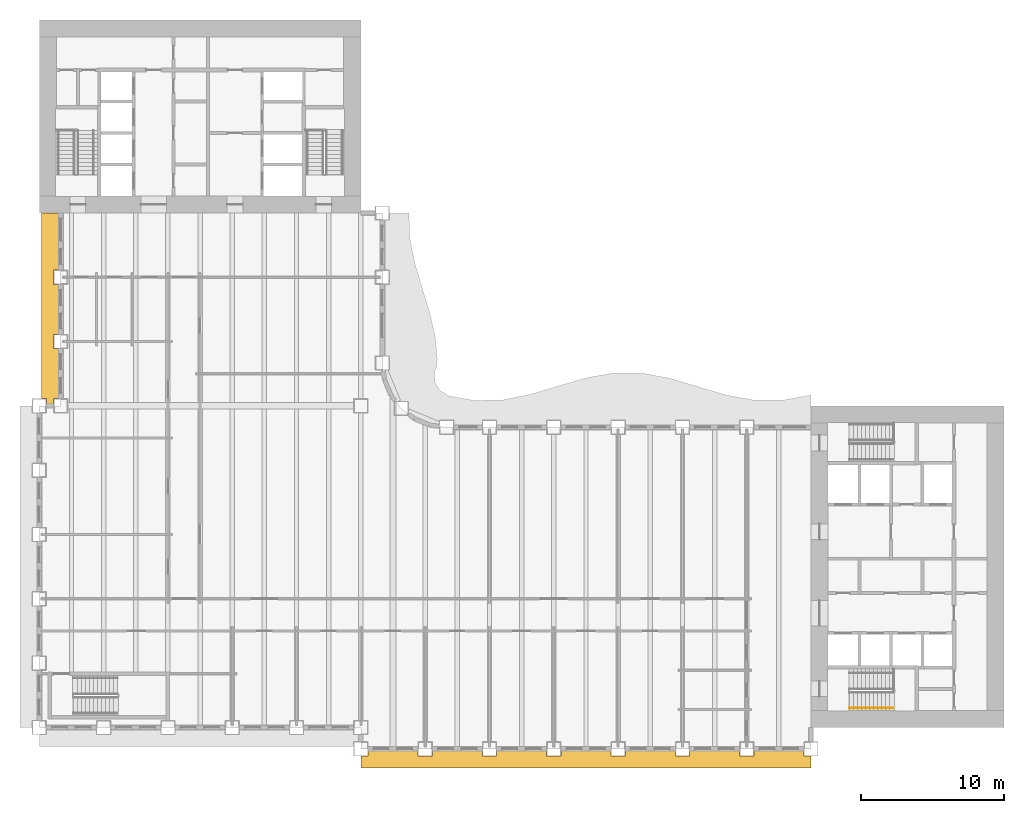
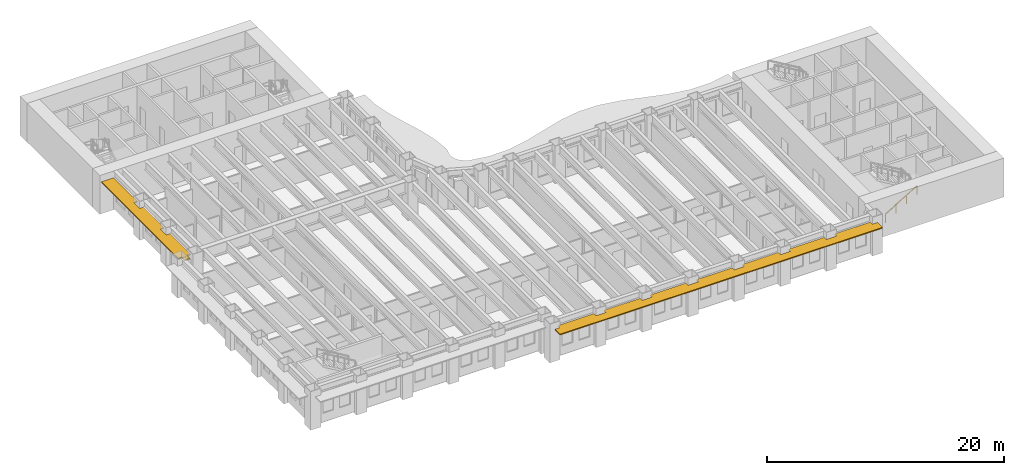
# One storey, part 12 of 16: 2 shading devices, 1 railing.
"""IFC4 building model written with IfcOpenShell, lengths in metres."""

from ifc_helpers import new_model, si_unit, direction, frame, origin, origin_2d, place, context, subcontext, project, spatial, polyline, rectangle, outline, extrude, material, layer, layer_set, type_object, element, save


model = new_model("IFC4")

# Units and contexts
model_context = context("Model", 3, precision=1e-05, world=origin(), true_north=direction((0.0, 1.0)))
body_context = subcontext(model_context, "Body", "Model", "MODEL_VIEW")
ifc_project = project(units=[si_unit("LENGTHUNIT", "METRE"), si_unit("AREAUNIT", "SQUARE_METRE"), si_unit("VOLUMEUNIT", "CUBIC_METRE"), si_unit("PLANEANGLEUNIT", "RADIAN"), si_unit("MASSUNIT", "GRAM", prefix="KILO")], contexts=[model_context])

# Site, building, storey
site_placement = place(None, origin())
site = spatial("IfcSite", under=ifc_project, at=site_placement, CompositionType="ELEMENT")
building_placement = place(site_placement, origin())
building = spatial("IfcBuilding", under=site, at=building_placement, Name="Sennacour Bend Tower", CompositionType="ELEMENT")
storey_placement = place(building_placement, frame((0.0, 0.0, 103.0)))
storey = spatial("IfcBuildingStorey", under=building, at=storey_placement, Name="L23", CompositionType="ELEMENT", Elevation=103.0)

# Railing
ifc_material_1 = material(Name="Stainless steel", Category="steel")
railing_type = type_object("IfcRailingType", Name="RL-HANDRAIL-900", PredefinedType="HANDRAIL", material=ifc_material_1)
railing_placement = place(storey_placement, frame((56.699951171875, 1.35009765625, 0.166748046875)))
element("IfcRailing", 1, at=railing_placement, inside=storey, type_object=railing_type, Name="L23 SA1 stair handrail 1", PredefinedType="HANDRAIL", context=body_context, shape_type="SweptSolid", body=[
    extrude(rectangle(XDim=0.048095703125, YDim=0.048095703125, at=origin_2d()), frame((0.0, 0.0, 0.8759765625), z_axis=(0.859308565015, 0.0, 0.511457515432), x_axis=(0.0, 1.0, 0.0)), (0.0, 0.0, 1.0), 3.58447265625),
    extrude(rectangle(XDim=0.0419921875, YDim=0.0419921875, at=origin_2d()), origin(), (0.0, 0.0, 1.0), 0.851806640625),
    extrude(rectangle(XDim=0.0419921875, YDim=0.0419921875, at=origin_2d()), frame((1.026611328125, 0.0, 0.611083984375)), (0.0, 0.0, 1.0), 0.851806640625),
    extrude(rectangle(XDim=0.0419921875, YDim=0.0419921875, at=origin_2d()), frame((2.053466796875, 0.0, 1.22216796875)), (0.0, 0.0, 1.0), 0.851806640625),
    extrude(rectangle(XDim=0.0419921875, YDim=0.0419921875, at=origin_2d()), frame((3.080078125, 0.0, 1.833251953125)), (0.0, 0.0, 1.0), 0.851806640625),
])

# Shading devices
ifc_material_2 = material(Name="Bronze anodised aluminium", Category="aluminium")
ifc_layer = layer(ifc_material_2, 0.10009765625, Name="Bronze anodised aluminium", Category="aluminium")
ifc_layer_set = layer_set([ifc_layer], Name="Bronze anodised aluminium")
shading_device_type = type_object("IfcShadingDeviceType", Name="SUNSHADE BAND STRAIGHT", PredefinedType="USERDEFINED", material=ifc_layer_set)
shading_device_1_placement = place(storey_placement, frame((0.0, 0.0, 3.053955078125)))
element("IfcShadingDevice", 2, at=shading_device_1_placement, inside=storey, type_object=shading_device_type, Name="Sunshade band L23 A outer face", ObjectType="SUNSHADE", PredefinedType="USERDEFINED", context=body_context, shape_type="SweptSolid", body=[
    extrude(outline(polyline([(26.5, -1.64990234375), (26.5, -2.0), (27.5, -2.0), (27.5, -1.64990234375), (31.0, -1.64990234375), (31.0, -2.0), (32.0, -2.0), (32.0, -1.64990234375), (35.5, -1.64990234375), (35.5, -2.0), (36.5, -2.0), (36.5, -1.64990234375), (40.0, -1.64990234375), (40.0, -2.0), (41.0, -2.0), (41.0, -1.64990234375), (44.5, -1.64990234375), (44.5, -2.0), (45.5, -2.0), (45.5, -1.64990234375), (49.0, -1.64990234375), (49.0, -2.0), (50.0, -2.0), (50.0, -1.64990234375), (53.5, -1.64990234375), (53.5, -2.0), (54.0, -2.0), (54.0, -2.85009765625), (22.5, -2.85009765625), (22.5, -2.0), (23.0, -2.0), (23.0, -1.64990234375), (26.5, -1.64990234375)])), origin(), (0.0, 0.0, 1.0), 0.10009765625),
])
shading_device_2_placement = place(storey_placement, frame((0.0, 0.0, 3.053955078125)))
element("IfcShadingDevice", 3, at=shading_device_2_placement, inside=storey, type_object=shading_device_type, Name="Sunshade band L23 B outer face", ObjectType="SUNSHADE", PredefinedType="USERDEFINED", context=body_context, shape_type="SweptSolid", body=[
    extrude(outline(polyline([(1.35009765625, 32.0), (1.0, 32.0), (1.0, 31.0), (1.35009765625, 31.0), (1.35009765625, 27.5), (1.0, 27.5), (1.0, 26.5), (1.35009765625, 26.5), (1.35009765625, 23.0), (1.0, 23.0), (1.0, 22.5), (0.5, 22.5), (0.5, 23.0), (0.14990234375, 23.0), (0.14990234375, 36.0), (1.35009765625, 36.0), (1.35009765625, 32.0)])), origin(), (0.0, 0.0, 1.0), 0.10009765625),
])

save(model, "model.ifc")
